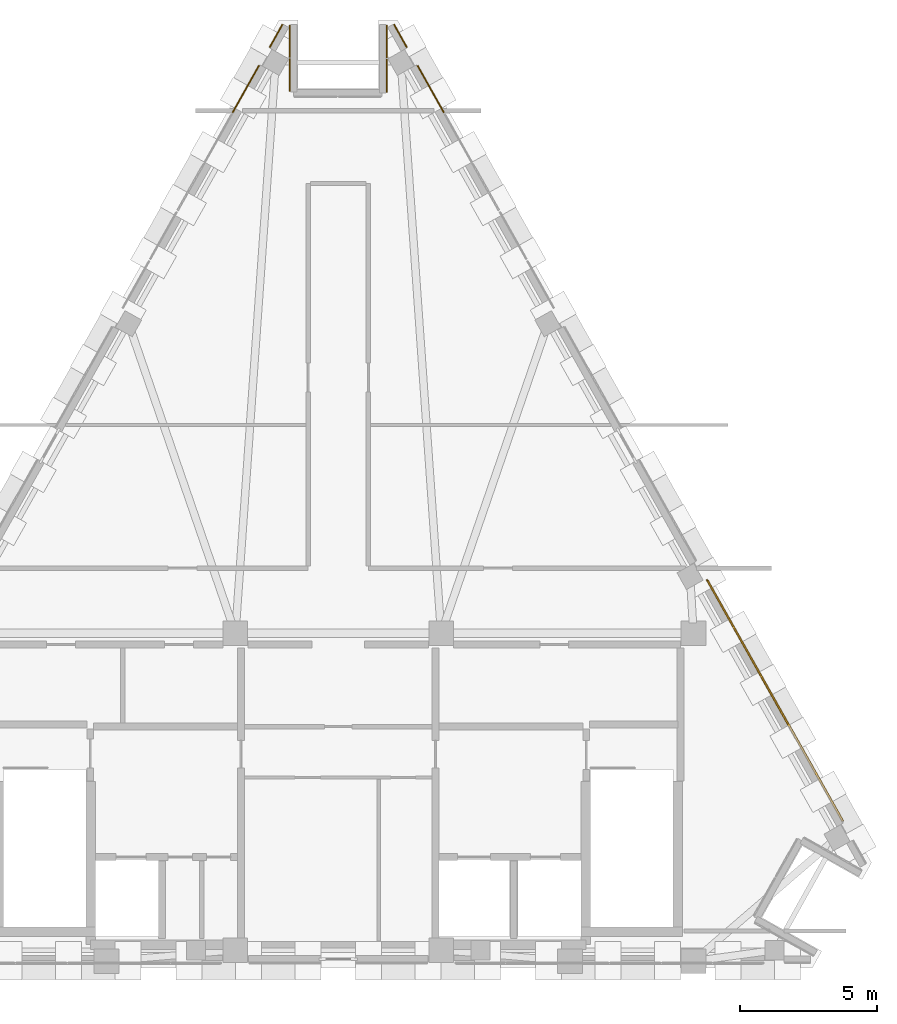
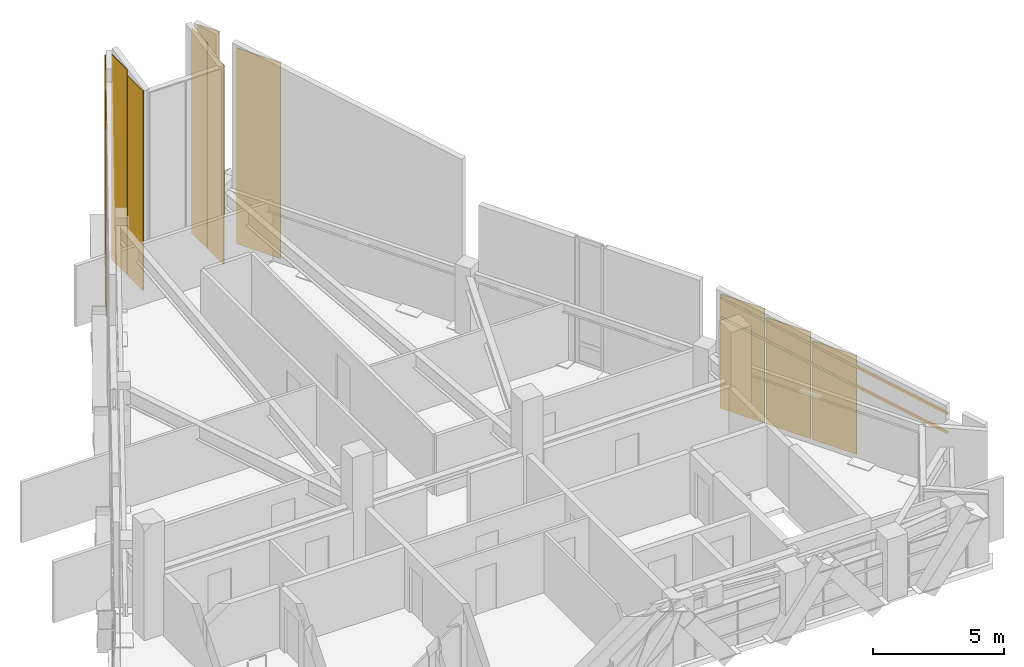
# One storey, part 7 of 7: 11 coverings, 2 shading devices.
"""IFC4 building model written with IfcOpenShell, lengths in metres."""

from ifc_helpers import new_model, si_unit, direction, frame, origin, origin_2d, place, context, subcontext, project, spatial, polyline, rectangle, outline, extrude, material, layer, layer_set, material_profile, profile_set, type_object, element, save


model = new_model("IFC4")

# Units and contexts
model_context = context("Model", 3, precision=1e-05, world=origin(), true_north=direction((0.0, 1.0)))
body_context = subcontext(model_context, "Body", "Model", "MODEL_VIEW")
ifc_project = project(units=[si_unit("LENGTHUNIT", "METRE"), si_unit("AREAUNIT", "SQUARE_METRE"), si_unit("VOLUMEUNIT", "CUBIC_METRE"), si_unit("PLANEANGLEUNIT", "RADIAN"), si_unit("MASSUNIT", "GRAM", prefix="KILO")], contexts=[model_context])

# Site, building, storey
site_placement = place(None, origin())
site = spatial("IfcSite", under=ifc_project, at=site_placement, CompositionType="ELEMENT")
building_placement = place(site_placement, origin())
building = spatial("IfcBuilding", under=site, at=building_placement, Name="Quenlor Broadcast Tower", CompositionType="ELEMENT")
storey_placement = place(building_placement, frame((0.0, 0.0, 286.89990234375)))
storey = spatial("IfcBuildingStorey", under=building, at=storey_placement, Name="L80", CompositionType="ELEMENT", Elevation=286.89990234375)

# Shading devices
ifc_material_1 = material(Name="Architectural Terracotta Ceramic", Category="masonry")
ifc_material_profile = material_profile(ifc_material_1, rectangle(XDim=0.074951171875, YDim=0.110107421875, at=origin_2d()))
ifc_profile_set = profile_set([ifc_material_profile], Name="Architectural Terracotta Ceramic BAG75x110")
shading_device_type = type_object("IfcShadingDeviceType", Name="Copper Terracotta Crown Baguette Screen 110", PredefinedType="USERDEFINED", material=ifc_profile_set)
for number, where, z_axis, x_axis, name in (
    (1, (13.45751953125, -2.8701171875, 5.173583984375), (0.482487653774, -0.857769102611, -0.177307164438), (0.871578778879, 0.490255476468, 0.0), "L80 Crown Wing Terracotta Baguette NEC-1"),
    (2, (13.45751953125, -2.8701171875, 4.2734375), (0.482489697628, -0.857772736186, -0.177284022799), (0.871578778879, 0.490255476468, 0.0), "L80 Crown Wing Terracotta Baguette NEC-2"),
):
    element("IfcShadingDevice", number, at=place(storey_placement, frame(where, z_axis=z_axis, x_axis=x_axis)), inside=storey, type_object=shading_device_type, Name=name, ObjectType="BAGUETTE", PredefinedType="USERDEFINED", context=body_context, shape_type="SweptSolid", body=[
        extrude(rectangle(XDim=0.074951171875, YDim=0.110107421875, at=origin_2d()), origin(), (0.0, 0.0, 1.0), 10.21826171875),
    ])

# Coverings
ifc_material_2 = material(Name="Architectural Terracotta Ceramic", Category="masonry")
ifc_layer = layer(ifc_material_2, 0.044921875)
ifc_layer_set = layer_set([ifc_layer], Name="Fluted Terracotta Rainscreen Cladding Panel")
covering_type = type_object("IfcCoveringType", Name="Fluted Terracotta Rainscreen Cladding Panel", PredefinedType="CLADDING", material=ifc_layer_set)
covering_1_placement = place(storey_placement, frame((0.0, 0.0, 0.02001953125)))
element("IfcCovering", 3, at=covering_1_placement, inside=storey, type_object=covering_type, Name="L80 Sloped Crown Terracotta Cladding L80-SHD-NES0.1", PredefinedType="CLADDING", context=body_context, shape_type="SweptSolid", body=[
    extrude(outline(polyline([(2.013427734375, 17.385986328125), (2.481689453125, 16.5537109375), (2.52099609375, 16.57568359375), (2.052734375, 17.407958984375), (2.013427734375, 17.385986328125)])), origin(), (0.0, 0.0, 1.0), 9.62548828125),
])
covering_2_placement = place(storey_placement, frame((0.0, 0.0, 0.02001953125)))
element("IfcCovering", 4, at=covering_2_placement, inside=storey, type_object=covering_type, Name="L80 Sloped Crown Terracotta Cladding L80-EW-NEA.1", PredefinedType="CLADDING", context=body_context, shape_type="SweptSolid", body=[
    extrude(outline(polyline([(2.868408203125, 15.88671875), (3.830078125, 14.177001953125), (3.869140625, 14.19921875), (2.907470703125, 15.90869140625), (2.868408203125, 15.88671875)])), origin(), (0.0, 0.0, 1.0), 9.140869140625),
])
covering_3_placement = place(storey_placement, frame((0.0, 0.0, 0.02001953125)))
element("IfcCovering", 5, at=covering_3_placement, inside=storey, type_object=covering_type, Name="L80 Sloped Crown Terracotta Cladding L80-EW-NEC.1", PredefinedType="CLADDING", context=body_context, shape_type="SweptSolid", body=[
    extrude(outline(polyline([(13.4091796875, -2.8525390625), (14.370849609375, -4.56201171875), (14.409912109375, -4.5400390625), (13.4482421875, -2.830322265625), (13.4091796875, -2.8525390625)])), origin(), (0.0, 0.0, 1.0), 5.328369140625),
])
covering_4_placement = place(storey_placement, frame((0.0, 0.0, 0.02001953125)))
element("IfcCovering", 6, at=covering_4_placement, inside=storey, type_object=covering_type, Name="L80 Sloped Crown Terracotta Cladding L80-EW-NEC.2", PredefinedType="CLADDING", context=body_context, shape_type="SweptSolid", body=[
    extrude(outline(polyline([(14.410888671875, -4.63330078125), (15.37255859375, -6.343017578125), (15.41162109375, -6.321044921875), (14.449951171875, -4.611328125), (14.410888671875, -4.63330078125)])), origin(), (0.0, 0.0, 1.0), 4.966064453125),
])
covering_5_placement = place(storey_placement, frame((0.0, 0.0, 0.02001953125)))
element("IfcCovering", 7, at=covering_5_placement, inside=storey, type_object=covering_type, Name="L80 Sloped Crown Terracotta Cladding L80-EW-NEC.3", PredefinedType="CLADDING", context=body_context, shape_type="SweptSolid", body=[
    extrude(outline(polyline([(15.41259765625, -6.414306640625), (16.374267578125, -8.123779296875), (16.41357421875, -8.101806640625), (15.451904296875, -6.39208984375), (15.41259765625, -6.414306640625)])), origin(), (0.0, 0.0, 1.0), 4.603759765625),
])
covering_6_placement = place(storey_placement, frame((0.0, 0.0, 0.02001953125)))
element("IfcCovering", 8, at=covering_6_placement, inside=storey, type_object=covering_type, Name="L80 Sloped Crown Terracotta Cladding L80-SHD-NWS1.1", PredefinedType="CLADDING", context=body_context, shape_type="SweptSolid", body=[
    extrude(outline(polyline([(-2.481689453125, 16.5537109375), (-2.013427734375, 17.385986328125), (-2.052734375, 17.407958984375), (-2.52099609375, 16.57568359375), (-2.481689453125, 16.5537109375)])), origin(), (0.0, 0.0, 1.0), 9.62548828125),
])
covering_7_placement = place(storey_placement, frame((0.0, 0.0, 0.02001953125)))
element("IfcCovering", 9, at=covering_7_placement, inside=storey, type_object=covering_type, Name="L80 Sloped Crown Terracotta Cladding L80-EW-NWC.5", PredefinedType="CLADDING", context=body_context, shape_type="SweptSolid", body=[
    extrude(outline(polyline([(-3.830078125, 14.177001953125), (-2.868408203125, 15.88671875), (-2.907470703125, 15.90869140625), (-3.869140625, 14.19921875), (-3.830078125, 14.177001953125)])), origin(), (0.0, 0.0, 1.0), 9.140869140625),
])
covering_8_placement = place(storey_placement, frame((0.0, 0.0, 0.02001953125)))
element("IfcCovering", 10, at=covering_8_placement, inside=storey, type_object=covering_type, Name="L80 Sloped Crown Terracotta Cladding L80-CNR-07.1", PredefinedType="CLADDING", context=body_context, shape_type="SweptSolid", body=[
    extrude(outline(polyline([(1.74072265625, 17.375), (1.74072265625, 16.175048828125), (1.785888671875, 16.175048828125), (1.785888671875, 17.375), (1.74072265625, 17.375)])), origin(), (0.0, 0.0, 1.0), 9.5595703125),
])
covering_9_placement = place(storey_placement, frame((0.0, 0.0, 0.02001953125)))
element("IfcCovering", 11, at=covering_9_placement, inside=storey, type_object=covering_type, Name="L80 Sloped Crown Terracotta Cladding L80-CNR-07.2", PredefinedType="CLADDING", context=body_context, shape_type="SweptSolid", body=[
    extrude(outline(polyline([(1.74072265625, 16.125), (1.74072265625, 14.925048828125), (1.785888671875, 14.925048828125), (1.785888671875, 16.125), (1.74072265625, 16.125)])), origin(), (0.0, 0.0, 1.0), 9.30517578125),
])
covering_10_placement = place(storey_placement, frame((0.0, 0.0, 0.02001953125)))
element("IfcCovering", 12, at=covering_10_placement, inside=storey, type_object=covering_type, Name="L80 Sloped Crown Terracotta Cladding L80-CNR-09.1", PredefinedType="CLADDING", context=body_context, shape_type="SweptSolid", body=[
    extrude(outline(polyline([(-1.74072265625, 14.964599609375), (-1.74072265625, 16.1455078125), (-1.785888671875, 16.1455078125), (-1.785888671875, 14.964599609375), (-1.74072265625, 14.964599609375)])), origin(), (0.0, 0.0, 1.0), 9.3134765625),
])
covering_11_placement = place(storey_placement, frame((0.0, 0.0, 0.02001953125)))
element("IfcCovering", 13, at=covering_11_placement, inside=storey, type_object=covering_type, Name="L80 Sloped Crown Terracotta Cladding L80-CNR-09.2", PredefinedType="CLADDING", context=body_context, shape_type="SweptSolid", body=[
    extrude(outline(polyline([(-1.74072265625, 16.194580078125), (-1.74072265625, 17.37548828125), (-1.785888671875, 17.37548828125), (-1.785888671875, 16.194580078125), (-1.74072265625, 16.194580078125)])), origin(), (0.0, 0.0, 1.0), 9.563720703125),
])

save(model, "model.ifc")
